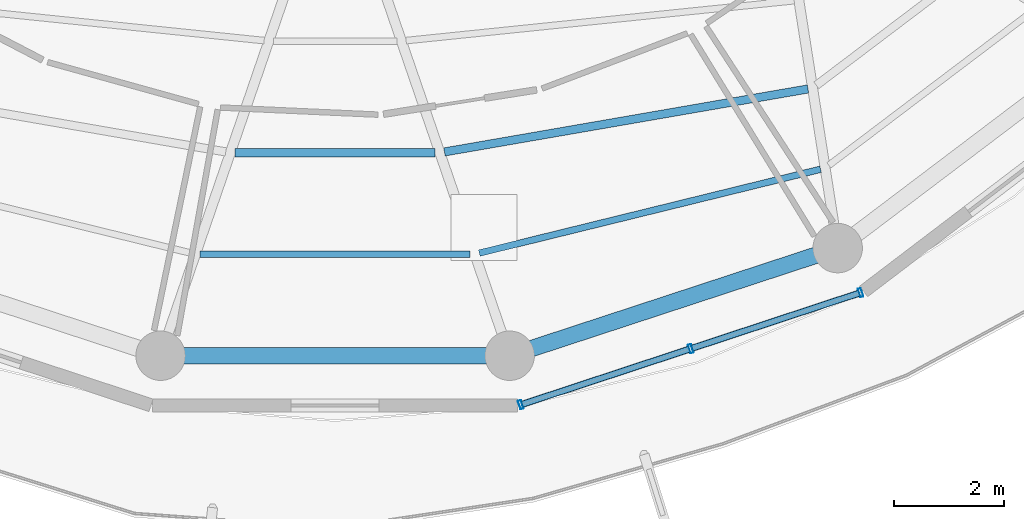
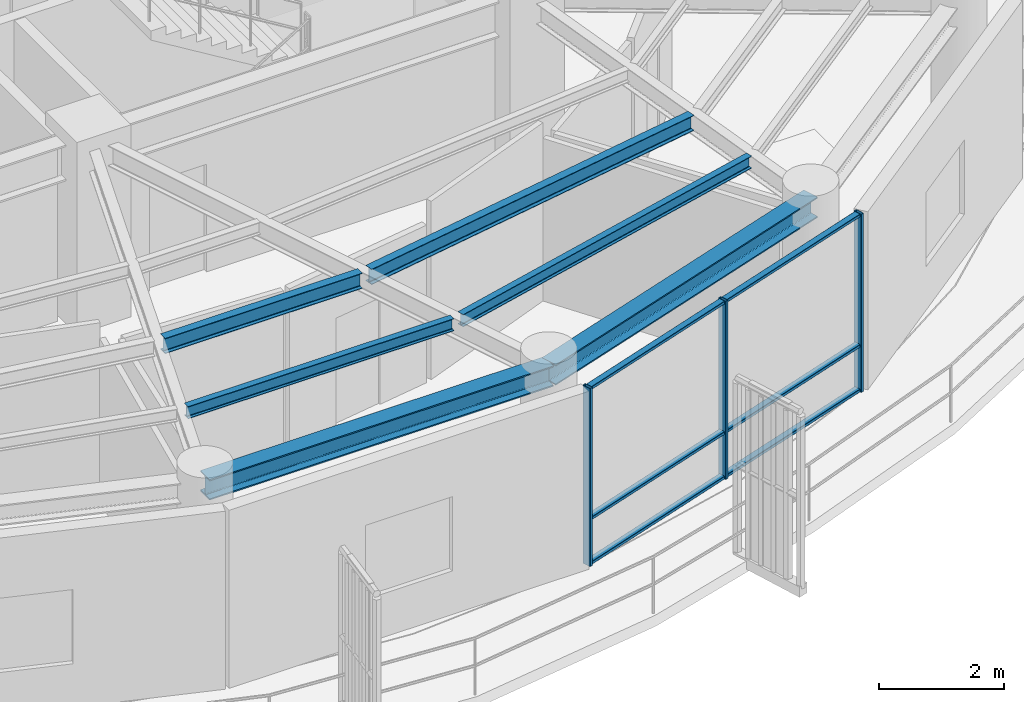
# One storey, part 3 of 22: 9 members, 6 beams, 1 element without a shape of its own.
"""IFC4 building model written with IfcOpenShell, lengths in metres."""

from ifc_helpers import new_model, si_unit, direction, frame, origin, origin_2d, place, context, subcontext, project, spatial, hollow_rectangle, i_section, extrude, material, layer, layer_set, material_profile, profile_set, type_object, element, aggregate, save


model = new_model("IFC4")

# Units and contexts
model_context = context("Model", 3, precision=1e-05, world=origin(), true_north=direction((0.0, 1.0)))
body_context = subcontext(model_context, "Body", "Model", "MODEL_VIEW")
ifc_project = project(units=[si_unit("LENGTHUNIT", "METRE"), si_unit("AREAUNIT", "SQUARE_METRE"), si_unit("VOLUMEUNIT", "CUBIC_METRE"), si_unit("PLANEANGLEUNIT", "RADIAN"), si_unit("MASSUNIT", "GRAM", prefix="KILO")], contexts=[model_context])

# Site, building, storey
site_placement = place(None, origin())
site = spatial("IfcSite", under=ifc_project, at=site_placement, CompositionType="ELEMENT")
building_placement = place(site_placement, origin())
building = spatial("IfcBuilding", under=site, at=building_placement, Name="Kelanora Arch Commons", CompositionType="ELEMENT")
storey_placement = place(building_placement, frame((0.0, 0.0, 267.449951171875)))
storey = spatial("IfcBuildingStorey", under=building, at=storey_placement, Name="L68", CompositionType="ELEMENT", Elevation=267.449951171875)

# Beams
ifc_material_1 = material(Name="Steel S355", Category="steel")
ifc_material_profile_1 = material_profile(ifc_material_1, i_section(OverallWidth=0.14990234375, OverallDepth=0.300048828125, WebThickness=0.007080078125, FlangeThickness=0.0107421875, FilletRadius=0.014892578125, at=origin_2d()), Name="IPE300")
ifc_profile_set_1 = profile_set([ifc_material_profile_1], Name="Steel S355")
beam_type_1 = type_object("IfcBeamType", Name="BM-JST-01", PredefinedType="JOIST", material=ifc_profile_set_1)
beam_1_placement = place(storey_placement, frame((72.180419921875, 45.462158203125, 3.340087890625), z_axis=(1.0, 0.0, 0.0), x_axis=(0.0, 1.0, 0.0)))
element("IfcBeam", 1, at=beam_1_placement, inside=storey, type_object=beam_type_1, Name="Secondary Chord Joist BJB-26 L68", PredefinedType="JOIST", context=body_context, shape_type="SweptSolid", body=[
    extrude(i_section(OverallWidth=0.14990234375, OverallDepth=0.300048828125, WebThickness=0.007080078125, FlangeThickness=0.0107421875, FilletRadius=0.014892578125, at=origin_2d()), origin(), (0.0, 0.0, 1.0), 3.63916015625),
])
beam_2_placement = place(storey_placement, frame((75.98828125, 45.476806640625, 3.340087890625), z_axis=(0.985321568263, 0.170708544357, 0.0), x_axis=(-0.170708544357, 0.985321568263, 0.0)))
element("IfcBeam", 2, at=beam_2_placement, inside=storey, type_object=beam_type_1, Name="Secondary Chord Joist BJB-28 L68", PredefinedType="JOIST", context=body_context, shape_type="SweptSolid", body=[
    extrude(i_section(OverallWidth=0.14990234375, OverallDepth=0.300048828125, WebThickness=0.007080078125, FlangeThickness=0.0107421875, FilletRadius=0.014892578125, at=origin_2d()), origin(), (0.0, 0.0, 1.0), 6.710205078125),
])
ifc_material_profile_2 = material_profile(ifc_material_1, i_section(OverallWidth=0.1201171875, OverallDepth=0.239990234375, WebThickness=0.006103515625, FlangeThickness=0.009765625, FilletRadius=0.014892578125, at=origin_2d()), Name="IPE240")
ifc_profile_set_2 = profile_set([ifc_material_profile_2], Name="Steel S355")
beam_type_2 = type_object("IfcBeamType", Name="BM-JST-02", PredefinedType="JOIST", material=ifc_profile_set_2)
beam_3_placement = place(storey_placement, frame((71.545654296875, 43.6162109375, 3.3701171875), z_axis=(1.0, 0.0, 0.0), x_axis=(0.0, 1.0, 0.0)))
element("IfcBeam", 3, at=beam_3_placement, inside=storey, type_object=beam_type_2, Name="Secondary Chord Joist BJC-26 L68", PredefinedType="JOIST", context=body_context, shape_type="SweptSolid", body=[
    extrude(i_section(OverallWidth=0.1201171875, OverallDepth=0.239990234375, WebThickness=0.006103515625, FlangeThickness=0.009765625, FilletRadius=0.014892578125, at=origin_2d()), origin(), (0.0, 0.0, 1.0), 4.90869140625),
])
beam_4_placement = place(storey_placement, frame((76.6220703125, 43.63671875, 3.3701171875), z_axis=(0.971109719488, 0.23863342749, 0.0), x_axis=(-0.23863342749, 0.971109719488, 0.0)))
element("IfcBeam", 4, at=beam_4_placement, inside=storey, type_object=beam_type_2, Name="Secondary Chord Joist BJC-28 L68", PredefinedType="JOIST", context=body_context, shape_type="SweptSolid", body=[
    extrude(i_section(OverallWidth=0.1201171875, OverallDepth=0.239990234375, WebThickness=0.006103515625, FlangeThickness=0.009765625, FilletRadius=0.014892578125, at=origin_2d()), origin(), (0.0, 0.0, 1.0), 6.39208984375),
])
ifc_material_profile_3 = material_profile(ifc_material_1, i_section(OverallWidth=0.300048828125, OverallDepth=0.39990234375, WebThickness=0.013427734375, FlangeThickness=0.02392578125, FilletRadius=0.027099609375, at=origin_2d()), Name="HEB400")
ifc_profile_set_3 = profile_set([ifc_material_profile_3], Name="Steel S355")
beam_type_3 = type_object("IfcBeamType", Name="BM-SPN-Z4", PredefinedType="SPANDREL", material=ifc_profile_set_3)
beam_5_placement = place(storey_placement, frame((70.82568359375, 41.7705078125, 3.2900390625), z_axis=(1.0, 0.0, 0.0), x_axis=(0.0, 1.0, 0.0)))
element("IfcBeam", 5, at=beam_5_placement, inside=storey, type_object=beam_type_3, Name="Perimeter Spandrel Beam BS-26 L68", PredefinedType="SPANDREL", context=body_context, shape_type="SweptSolid", body=[
    extrude(i_section(OverallWidth=0.300048828125, OverallDepth=0.39990234375, WebThickness=0.013427734375, FlangeThickness=0.02392578125, FilletRadius=0.027099609375, at=origin_2d()), origin(), (0.0, 0.0, 1.0), 6.3486328125),
])
beam_6_placement = place(storey_placement, frame((77.17431640625, 41.7705078125, 3.2900390625), z_axis=(0.950165923039, 0.311744636996, 0.0), x_axis=(-0.311744636996, 0.950165923039, 0.0)))
element("IfcBeam", 6, at=beam_6_placement, inside=storey, type_object=beam_type_3, Name="Perimeter Spandrel Beam BS-28 L68", PredefinedType="SPANDREL", context=body_context, shape_type="SweptSolid", body=[
    extrude(i_section(OverallWidth=0.300048828125, OverallDepth=0.39990234375, WebThickness=0.013427734375, FlangeThickness=0.02392578125, FilletRadius=0.027099609375, at=origin_2d()), origin(), (0.0, 0.0, 1.0), 6.278564453125),
])

# Curtain wall, members
ifc_material_2 = material(Name="Terracotta ceramic-fritted low-E glass and aluminium", Category="masonry")
ifc_layer = layer(ifc_material_2, 0.18994140625)
ifc_layer_set = layer_set([ifc_layer], Name="Terracotta ceramic-fritted low-E glass and aluminium")
curtain_wall_type = type_object("IfcCurtainWallType", Name="CW-SYS-03", PredefinedType="NOTDEFINED", material=ifc_layer_set)
curtain_wall_placement = place(storey_placement, origin())
curtain_wall = element("IfcCurtainWall", 7, at=curtain_wall_placement, inside=storey, type_object=curtain_wall_type, Name="Unitised Curtain Wall L68-B14", PredefinedType="NOTDEFINED")
ifc_material_3 = material(Name="Powder-coated aluminium terracotta", Category="masonry")
ifc_material_profile_4 = material_profile(ifc_material_3, hollow_rectangle(XDim=0.159912109375, YDim=0.06005859375, WallThickness=0.0048828125, InnerFilletRadius=0.0048828125, OuterFilletRadius=0.010009765625, at=origin_2d()), Name="CWM160x60")
ifc_profile_set_4 = profile_set([ifc_material_profile_4], Name="Powder-coated aluminium terracotta")
member_type_1 = type_object("IfcMemberType", Name="CWM-STD", PredefinedType="MULLION", material=ifc_profile_set_4)
member_1_placement = place(storey_placement, frame((77.376708984375, 40.87841796875, 0.0), z_axis=(0.0, 0.0, 1.0), x_axis=(-0.313252785344, 0.949669780752, 0.0)))
member_1 = element("IfcMember", 8, at=member_1_placement, type_object=member_type_1, Name="CW-03 mullion 1", PredefinedType="MULLION", context=body_context, shape_type="SweptSolid", body=[
    extrude(hollow_rectangle(XDim=0.159912109375, YDim=0.06005859375, WallThickness=0.0048828125, InnerFilletRadius=0.0048828125, OuterFilletRadius=0.010009765625, at=origin_2d()), origin(), (0.0, 0.0, 1.0), 3.47509765625),
])
member_2_placement = place(storey_placement, frame((80.467041015625, 41.897705078125, 0.0), z_axis=(0.0, 0.0, 1.0), x_axis=(-0.313252785344, 0.949669780752, 0.0)))
member_2 = element("IfcMember", 9, at=member_2_placement, type_object=member_type_1, Name="CW-03 mullion 2", PredefinedType="MULLION", context=body_context, shape_type="SweptSolid", body=[
    extrude(hollow_rectangle(XDim=0.159912109375, YDim=0.06005859375, WallThickness=0.0048828125, InnerFilletRadius=0.0048828125, OuterFilletRadius=0.010009765625, at=origin_2d()), origin(), (0.0, 0.0, 1.0), 3.47509765625),
])
member_3_placement = place(storey_placement, frame((83.557373046875, 42.9169921875, 0.0), z_axis=(0.0, 0.0, 1.0), x_axis=(-0.313252785344, 0.949669780752, 0.0)))
member_3 = element("IfcMember", 10, at=member_3_placement, type_object=member_type_1, Name="CW-03 mullion 3", PredefinedType="MULLION", context=body_context, shape_type="SweptSolid", body=[
    extrude(hollow_rectangle(XDim=0.159912109375, YDim=0.06005859375, WallThickness=0.0048828125, InnerFilletRadius=0.0048828125, OuterFilletRadius=0.010009765625, at=origin_2d()), origin(), (0.0, 0.0, 1.0), 3.47509765625),
])
ifc_material_profile_5 = material_profile(ifc_material_3, hollow_rectangle(XDim=0.1201171875, YDim=0.06005859375, WallThickness=0.0048828125, InnerFilletRadius=0.0048828125, OuterFilletRadius=0.010009765625, at=origin_2d()), Name="CWT120x60")
ifc_profile_set_5 = profile_set([ifc_material_profile_5], Name="Powder-coated aluminium terracotta")
member_type_2 = type_object("IfcMemberType", Name="CWT-STD", PredefinedType="USERDEFINED", material=ifc_profile_set_5)
member_4_placement = place(storey_placement, frame((77.4052734375, 40.8876953125, 0.030029296875), z_axis=(0.949649574195, 0.313314037719, 0.0), x_axis=(-0.313314037719, 0.949649574195, 0.0)))
member_4 = element("IfcMember", 11, at=member_4_placement, type_object=member_type_2, Name="CW-03 transom 1.1", ObjectType="TRANSOM", PredefinedType="USERDEFINED", context=body_context, shape_type="SweptSolid", body=[
    extrude(hollow_rectangle(XDim=0.1201171875, YDim=0.06005859375, WallThickness=0.0048828125, InnerFilletRadius=0.0048828125, OuterFilletRadius=0.010009765625, at=origin_2d()), origin(), (0.0, 0.0, 1.0), 3.194091796875),
])
member_5_placement = place(storey_placement, frame((77.4052734375, 40.8876953125, 0.900146484375), z_axis=(0.949649574195, 0.313314037719, 0.0), x_axis=(-0.313314037719, 0.949649574195, 0.0)))
member_5 = element("IfcMember", 12, at=member_5_placement, type_object=member_type_2, Name="CW-03 transom 1.2", ObjectType="TRANSOM", PredefinedType="USERDEFINED", context=body_context, shape_type="SweptSolid", body=[
    extrude(hollow_rectangle(XDim=0.1201171875, YDim=0.06005859375, WallThickness=0.0048828125, InnerFilletRadius=0.0048828125, OuterFilletRadius=0.010009765625, at=origin_2d()), origin(), (0.0, 0.0, 1.0), 3.194091796875),
])
member_6_placement = place(storey_placement, frame((77.4052734375, 40.8876953125, 3.445068359375), z_axis=(0.949649574195, 0.313314037719, 0.0), x_axis=(-0.313314037719, 0.949649574195, 0.0)))
member_6 = element("IfcMember", 13, at=member_6_placement, type_object=member_type_2, Name="CW-03 transom 1.3", ObjectType="TRANSOM", PredefinedType="USERDEFINED", context=body_context, shape_type="SweptSolid", body=[
    extrude(hollow_rectangle(XDim=0.1201171875, YDim=0.06005859375, WallThickness=0.0048828125, InnerFilletRadius=0.0048828125, OuterFilletRadius=0.010009765625, at=origin_2d()), origin(), (0.0, 0.0, 1.0), 3.194091796875),
])
member_7_placement = place(storey_placement, frame((80.49560546875, 41.9072265625, 0.030029296875), z_axis=(0.949672315102, 0.313245102003, 0.0), x_axis=(-0.313245102003, 0.949672315102, 0.0)))
member_7 = element("IfcMember", 14, at=member_7_placement, type_object=member_type_2, Name="CW-03 transom 2.1", ObjectType="TRANSOM", PredefinedType="USERDEFINED", context=body_context, shape_type="SweptSolid", body=[
    extrude(hollow_rectangle(XDim=0.1201171875, YDim=0.06005859375, WallThickness=0.0048828125, InnerFilletRadius=0.0048828125, OuterFilletRadius=0.010009765625, at=origin_2d()), origin(), (0.0, 0.0, 1.0), 3.19384765625),
])
member_8_placement = place(storey_placement, frame((80.49560546875, 41.9072265625, 0.900146484375), z_axis=(0.949672315102, 0.313245102003, 0.0), x_axis=(-0.313245102003, 0.949672315102, 0.0)))
member_8 = element("IfcMember", 15, at=member_8_placement, type_object=member_type_2, Name="CW-03 transom 2.2", ObjectType="TRANSOM", PredefinedType="USERDEFINED", context=body_context, shape_type="SweptSolid", body=[
    extrude(hollow_rectangle(XDim=0.1201171875, YDim=0.06005859375, WallThickness=0.0048828125, InnerFilletRadius=0.0048828125, OuterFilletRadius=0.010009765625, at=origin_2d()), origin(), (0.0, 0.0, 1.0), 3.19384765625),
])
member_9_placement = place(storey_placement, frame((80.49560546875, 41.9072265625, 3.445068359375), z_axis=(0.949672315102, 0.313245102003, 0.0), x_axis=(-0.313245102003, 0.949672315102, 0.0)))
member_9 = element("IfcMember", 16, at=member_9_placement, type_object=member_type_2, Name="CW-03 transom 2.3", ObjectType="TRANSOM", PredefinedType="USERDEFINED", context=body_context, shape_type="SweptSolid", body=[
    extrude(hollow_rectangle(XDim=0.1201171875, YDim=0.06005859375, WallThickness=0.0048828125, InnerFilletRadius=0.0048828125, OuterFilletRadius=0.010009765625, at=origin_2d()), origin(), (0.0, 0.0, 1.0), 3.19384765625),
])
aggregate(curtain_wall, [member_1, member_2, member_3, member_4, member_5, member_6, member_7, member_8, member_9])

save(model, "model.ifc")
